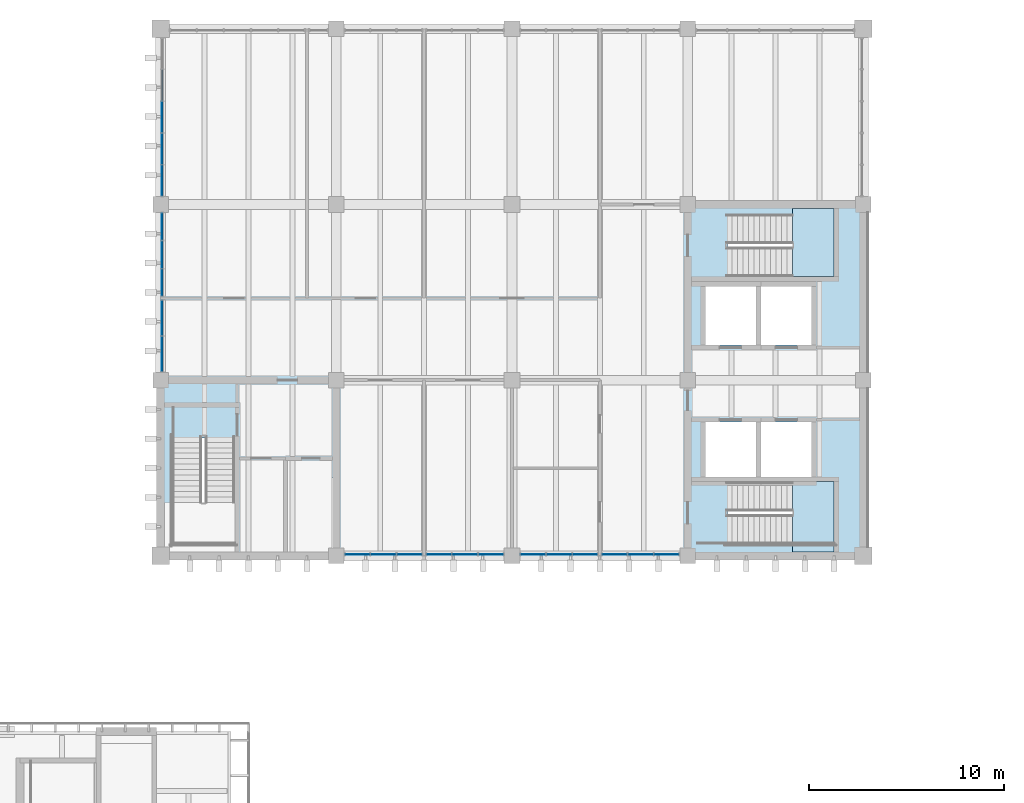
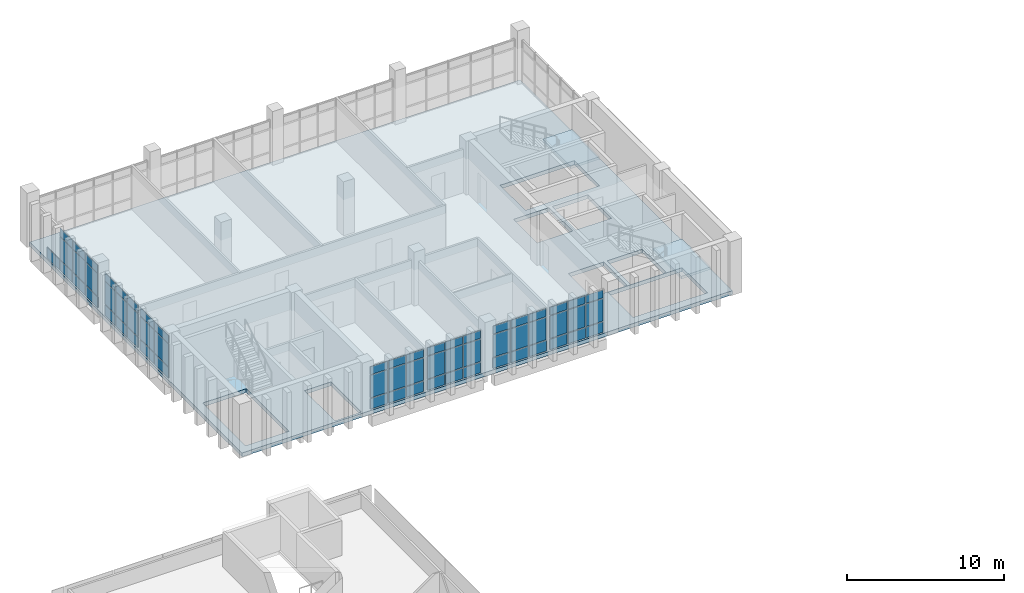
# One storey, part 15 of 29: 61 plates, 3 slabs, 9 elements without a shape of their own.
"""IFC4 building model written with IfcOpenShell, lengths in metres."""

from ifc_helpers import new_model, si_unit, direction, frame, origin, origin_2d, place, context, subcontext, project, spatial, polyline, rectangle, outline, extrude, material, layer, layer_set, type_object, element, aggregate, save


model = new_model("IFC4")

# Units and contexts
model_context = context("Model", 3, precision=1e-05, world=origin(), true_north=direction((0.0, 1.0)))
body_context = subcontext(model_context, "Body", "Model", "MODEL_VIEW")
ifc_project = project(units=[si_unit("LENGTHUNIT", "METRE"), si_unit("AREAUNIT", "SQUARE_METRE"), si_unit("VOLUMEUNIT", "CUBIC_METRE"), si_unit("PLANEANGLEUNIT", "RADIAN"), si_unit("MASSUNIT", "GRAM", prefix="KILO")], contexts=[model_context])

# Site, building, storey
site_placement = place(None, origin())
site = spatial("IfcSite", under=ifc_project, at=site_placement, CompositionType="ELEMENT")
building_placement = place(site_placement, origin())
building = spatial("IfcBuilding", under=site, at=building_placement, Name="Merrow Basin Faculty of Sciences", CompositionType="ELEMENT")
storey_placement = place(building_placement, frame((0.0, 0.0, 22.5)))
storey = spatial("IfcBuildingStorey", under=building, at=storey_placement, Name="L05", CompositionType="ELEMENT", Elevation=22.5)

# Slab
ifc_material_1 = material(Name="Concrete C40/50", Category="concrete")
ifc_layer_1 = layer(ifc_material_1, 0.300048828125)
ifc_layer_set_1 = layer_set([ifc_layer_1], Name="Floor slab 300 Concrete C40/50")
slab_type_1 = type_object("IfcSlabType", Name="Floor slab 300 Concrete C40/50", PredefinedType="FLOOR", material=ifc_layer_set_1)
slab_1_placement = place(storey_placement, frame((0.0, 0.0, -0.300048828125)))
element("IfcSlab", 1, at=slab_1_placement, inside=storey, type_object=slab_type_1, Name="SL11 floor L05 001", PredefinedType="FLOOR", context=body_context, shape_type="SweptSolid", body=[
    extrude(outline(polyline([(54.0, 169.0), (54.0, 142.0), (18.0, 142.0), (18.0, 169.0), (54.0, 169.0)]), holes=[polyline([(52.5, 142.60009765625), (52.5, 145.800048828125), (47.050048828125, 145.800048828125), (47.050048828125, 142.60009765625), (52.5, 142.60009765625)]), polyline([(52.5, 156.300048828125), (52.5, 159.5), (47.050048828125, 159.5), (47.050048828125, 156.300048828125), (52.5, 156.300048828125)]), polyline([(51.35009765625, 145.85009765625), (51.35009765625, 148.85009765625), (48.75, 148.85009765625), (48.75, 145.85009765625), (51.35009765625, 145.85009765625)]), polyline([(51.35009765625, 152.800048828125), (51.35009765625, 155.800048828125), (48.75, 155.800048828125), (48.75, 152.800048828125), (51.35009765625, 152.800048828125)]), polyline([(48.5, 145.85009765625), (48.5, 148.85009765625), (45.89990234375, 148.85009765625), (45.89990234375, 145.85009765625), (48.5, 145.85009765625)]), polyline([(48.5, 152.800048828125), (48.5, 155.800048828125), (45.89990234375, 155.800048828125), (45.89990234375, 152.800048828125), (48.5, 152.800048828125)]), polyline([(26.85009765625, 142.14990234375), (26.85009765625, 146.0), (24.90087890625, 146.0), (24.90087890625, 142.14990234375), (26.85009765625, 142.14990234375)]), polyline([(21.800048828125, 142.60009765625), (21.800048828125, 148.050048828125), (18.60009765625, 148.050048828125), (18.60009765625, 142.60009765625), (21.800048828125, 142.60009765625)])]), origin(), (0.0, 0.0, 1.0), 0.300048828125),
])

# Curtain wall, plates
ifc_material_2 = material(Name="Aluminium alloy 6063", Category="aluminium")
curtain_wall_type = type_object("IfcCurtainWallType", Name="Unitised curtain wall 160", PredefinedType="NOTDEFINED", material=ifc_material_2)
curtain_wall_1_placement = place(storey_placement, origin())
curtain_wall_1 = element("IfcCurtainWall", 2, at=curtain_wall_1_placement, inside=storey, type_object=curtain_wall_type, Name="W curtain wall L05 1", PredefinedType="NOTDEFINED")
ifc_material_3 = material(Name="Insulated aluminium spandrel panel", Category="aluminium")
ifc_layer_2 = layer(ifc_material_3, 0.052001953125)
ifc_layer_set_2 = layer_set([ifc_layer_2], Name="Insulated spandrel panel 52")
plate_type_1 = type_object("IfcPlateType", Name="Insulated spandrel panel 52", PredefinedType="CURTAIN_PANEL", material=ifc_layer_set_2)
plate_1_placement = place(storey_placement, frame((18.080078125, 152.34619140625, 0.06005859375), z_axis=(0.0, 0.0, 1.0), x_axis=(0.0, 1.0, 0.0)))
plate_1 = element("IfcPlate", 3, at=plate_1_placement, type_object=plate_type_1, Name="CW3 panel 1.1", PredefinedType="CURTAIN_PANEL", context=body_context, shape_type="SweptSolid", body=[
    extrude(rectangle(XDim=1.7724609375, YDim=0.052001953125, at=origin_2d()), origin(), (0.0, 0.0, 1.0), 0.81005859375),
])
plate_2_placement = place(storey_placement, frame((18.080078125, 154.1787109375, 0.06005859375), z_axis=(0.0, 0.0, 1.0), x_axis=(0.0, 1.0, 0.0)))
plate_2 = element("IfcPlate", 4, at=plate_2_placement, type_object=plate_type_1, Name="CW3 panel 2.1", PredefinedType="CURTAIN_PANEL", context=body_context, shape_type="SweptSolid", body=[
    extrude(rectangle(XDim=1.7724609375, YDim=0.052001953125, at=origin_2d()), origin(), (0.0, 0.0, 1.0), 0.81005859375),
])

curtain_wall_2_placement = place(storey_placement, origin())
curtain_wall_2 = element("IfcCurtainWall", 5, at=curtain_wall_2_placement, inside=storey, type_object=curtain_wall_type, Name="W curtain wall L05 2", PredefinedType="NOTDEFINED")
plate_3_placement = place(storey_placement, frame((18.080078125, 156.0107421875, 0.06005859375), z_axis=(0.0, 0.0, 1.0), x_axis=(0.0, 1.0, 0.0)))
plate_3 = element("IfcPlate", 6, at=plate_3_placement, type_object=plate_type_1, Name="CW3 panel 1.1", PredefinedType="CURTAIN_PANEL", context=body_context, shape_type="SweptSolid", body=[
    extrude(rectangle(XDim=1.3515625, YDim=0.052001953125, at=origin_2d()), origin(), (0.0, 0.0, 1.0), 0.81005859375),
])
plate_4_placement = place(storey_placement, frame((18.080078125, 157.4375, 0.06005859375), z_axis=(0.0, 0.0, 1.0), x_axis=(0.0, 1.0, 0.0)))
plate_4 = element("IfcPlate", 7, at=plate_4_placement, type_object=plate_type_1, Name="CW3 panel 2.1", PredefinedType="CURTAIN_PANEL", context=body_context, shape_type="SweptSolid", body=[
    extrude(rectangle(XDim=1.381591796875, YDim=0.052001953125, at=origin_2d()), origin(), (0.0, 0.0, 1.0), 0.81005859375),
])
plate_5_placement = place(storey_placement, frame((18.080078125, 158.8642578125, 0.06005859375), z_axis=(0.0, 0.0, 1.0), x_axis=(0.0, 1.0, 0.0)))
plate_5 = element("IfcPlate", 8, at=plate_5_placement, type_object=plate_type_1, Name="CW3 panel 3.1", PredefinedType="CURTAIN_PANEL", context=body_context, shape_type="SweptSolid", body=[
    extrude(rectangle(XDim=1.3515625, YDim=0.052001953125, at=origin_2d()), origin(), (0.0, 0.0, 1.0), 0.81005859375),
])

curtain_wall_3_placement = place(storey_placement, origin())
curtain_wall_3 = element("IfcCurtainWall", 9, at=curtain_wall_3_placement, inside=storey, type_object=curtain_wall_type, Name="W curtain wall L05 3", PredefinedType="NOTDEFINED")
plate_6_placement = place(storey_placement, frame((18.080078125, 161.22998046875, 0.06005859375), z_axis=(0.0, 0.0, 1.0), x_axis=(0.0, 1.0, 0.0)))
plate_6 = element("IfcPlate", 10, at=plate_6_placement, type_object=plate_type_1, Name="CW3 panel 1.1", PredefinedType="CURTAIN_PANEL", context=body_context, shape_type="SweptSolid", body=[
    extrude(rectangle(XDim=1.5400390625, YDim=0.052001953125, at=origin_2d()), origin(), (0.0, 0.0, 1.0), 0.81005859375),
])
plate_7_placement = place(storey_placement, frame((18.080078125, 162.844970703125, 0.06005859375), z_axis=(0.0, 0.0, 1.0), x_axis=(0.0, 1.0, 0.0)))
plate_7 = element("IfcPlate", 11, at=plate_7_placement, type_object=plate_type_1, Name="CW3 panel 2.1", PredefinedType="CURTAIN_PANEL", context=body_context, shape_type="SweptSolid", body=[
    extrude(rectangle(XDim=1.570068359375, YDim=0.052001953125, at=origin_2d()), origin(), (0.0, 0.0, 1.0), 0.81005859375),
])
plate_8_placement = place(storey_placement, frame((18.080078125, 164.47509765625, 0.06005859375), z_axis=(0.0, 0.0, 1.0), x_axis=(0.0, 1.0, 0.0)))
plate_8 = element("IfcPlate", 12, at=plate_8_placement, type_object=plate_type_1, Name="CW3 panel 3.1", PredefinedType="CURTAIN_PANEL", context=body_context, shape_type="SweptSolid", body=[
    extrude(rectangle(XDim=1.570068359375, YDim=0.052001953125, at=origin_2d()), origin(), (0.0, 0.0, 1.0), 0.81005859375),
])
plate_9_placement = place(storey_placement, frame((18.080078125, 166.10498046875, 0.06005859375), z_axis=(0.0, 0.0, 1.0), x_axis=(0.0, 1.0, 0.0)))
plate_9 = element("IfcPlate", 13, at=plate_9_placement, type_object=plate_type_1, Name="CW3 panel 4.1", PredefinedType="CURTAIN_PANEL", context=body_context, shape_type="SweptSolid", body=[
    extrude(rectangle(XDim=1.570068359375, YDim=0.052001953125, at=origin_2d()), origin(), (0.0, 0.0, 1.0), 0.81005859375),
])

curtain_wall_4_placement = place(storey_placement, origin())
curtain_wall_4 = element("IfcCurtainWall", 14, at=curtain_wall_4_placement, inside=storey, type_object=curtain_wall_type, Name="S curtain wall L05 1", PredefinedType="NOTDEFINED")
plate_10_placement = place(storey_placement, frame((28.0859375, 142.080078125, 0.06005859375), z_axis=(0.0, 0.0, 1.0), x_axis=(1.0, 0.0, 0.0)))
plate_10 = element("IfcPlate", 15, at=plate_10_placement, type_object=plate_type_1, Name="CW3 panel 1.1", PredefinedType="CURTAIN_PANEL", context=body_context, shape_type="SweptSolid", body=[
    extrude(rectangle(XDim=1.251708984375, YDim=0.052001953125, at=origin_2d()), origin(), (0.0, 0.0, 1.0), 0.81005859375),
])
plate_11_placement = place(storey_placement, frame((29.41259765625, 142.080078125, 0.06005859375), z_axis=(0.0, 0.0, 1.0), x_axis=(1.0, 0.0, 0.0)))
plate_11 = element("IfcPlate", 16, at=plate_11_placement, type_object=plate_type_1, Name="CW3 panel 2.1", PredefinedType="CURTAIN_PANEL", context=body_context, shape_type="SweptSolid", body=[
    extrude(rectangle(XDim=1.28173828125, YDim=0.052001953125, at=origin_2d()), origin(), (0.0, 0.0, 1.0), 0.81005859375),
])
plate_12_placement = place(storey_placement, frame((30.7392578125, 142.080078125, 0.06005859375), z_axis=(0.0, 0.0, 1.0), x_axis=(1.0, 0.0, 0.0)))
plate_12 = element("IfcPlate", 17, at=plate_12_placement, type_object=plate_type_1, Name="CW3 panel 3.1", PredefinedType="CURTAIN_PANEL", context=body_context, shape_type="SweptSolid", body=[
    extrude(rectangle(XDim=1.251708984375, YDim=0.052001953125, at=origin_2d()), origin(), (0.0, 0.0, 1.0), 0.81005859375),
])

curtain_wall_5_placement = place(storey_placement, origin())
curtain_wall_5 = element("IfcCurtainWall", 18, at=curtain_wall_5_placement, inside=storey, type_object=curtain_wall_type, Name="S curtain wall L05 2", PredefinedType="NOTDEFINED")
plate_13_placement = place(storey_placement, frame((32.2607421875, 142.080078125, 0.06005859375), z_axis=(0.0, 0.0, 1.0), x_axis=(1.0, 0.0, 0.0)))
plate_13 = element("IfcPlate", 19, at=plate_13_placement, type_object=plate_type_1, Name="CW3 panel 1.1", PredefinedType="CURTAIN_PANEL", context=body_context, shape_type="SweptSolid", body=[
    extrude(rectangle(XDim=1.251708984375, YDim=0.052001953125, at=origin_2d()), origin(), (0.0, 0.0, 1.0), 0.81005859375),
])
plate_14_placement = place(storey_placement, frame((33.58740234375, 142.080078125, 0.06005859375), z_axis=(0.0, 0.0, 1.0), x_axis=(1.0, 0.0, 0.0)))
plate_14 = element("IfcPlate", 20, at=plate_14_placement, type_object=plate_type_1, Name="CW3 panel 2.1", PredefinedType="CURTAIN_PANEL", context=body_context, shape_type="SweptSolid", body=[
    extrude(rectangle(XDim=1.28173828125, YDim=0.052001953125, at=origin_2d()), origin(), (0.0, 0.0, 1.0), 0.81005859375),
])
plate_15_placement = place(storey_placement, frame((34.9140625, 142.080078125, 0.06005859375), z_axis=(0.0, 0.0, 1.0), x_axis=(1.0, 0.0, 0.0)))
plate_15 = element("IfcPlate", 21, at=plate_15_placement, type_object=plate_type_1, Name="CW3 panel 3.1", PredefinedType="CURTAIN_PANEL", context=body_context, shape_type="SweptSolid", body=[
    extrude(rectangle(XDim=1.251708984375, YDim=0.052001953125, at=origin_2d()), origin(), (0.0, 0.0, 1.0), 0.81005859375),
])

curtain_wall_6_placement = place(storey_placement, origin())
curtain_wall_6 = element("IfcCurtainWall", 22, at=curtain_wall_6_placement, inside=storey, type_object=curtain_wall_type, Name="S curtain wall L05 3", PredefinedType="NOTDEFINED")
plate_16_placement = place(storey_placement, frame((37.0859375, 142.080078125, 0.06005859375), z_axis=(0.0, 0.0, 1.0), x_axis=(1.0, 0.0, 0.0)))
plate_16 = element("IfcPlate", 23, at=plate_16_placement, type_object=plate_type_1, Name="CW3 panel 1.1", PredefinedType="CURTAIN_PANEL", context=body_context, shape_type="SweptSolid", body=[
    extrude(rectangle(XDim=1.251708984375, YDim=0.052001953125, at=origin_2d()), origin(), (0.0, 0.0, 1.0), 0.81005859375),
])
plate_17_placement = place(storey_placement, frame((38.41259765625, 142.080078125, 0.06005859375), z_axis=(0.0, 0.0, 1.0), x_axis=(1.0, 0.0, 0.0)))
plate_17 = element("IfcPlate", 24, at=plate_17_placement, type_object=plate_type_1, Name="CW3 panel 2.1", PredefinedType="CURTAIN_PANEL", context=body_context, shape_type="SweptSolid", body=[
    extrude(rectangle(XDim=1.28173828125, YDim=0.052001953125, at=origin_2d()), origin(), (0.0, 0.0, 1.0), 0.81005859375),
])
plate_18_placement = place(storey_placement, frame((39.7392578125, 142.080078125, 0.06005859375), z_axis=(0.0, 0.0, 1.0), x_axis=(1.0, 0.0, 0.0)))
plate_18 = element("IfcPlate", 25, at=plate_18_placement, type_object=plate_type_1, Name="CW3 panel 3.1", PredefinedType="CURTAIN_PANEL", context=body_context, shape_type="SweptSolid", body=[
    extrude(rectangle(XDim=1.251708984375, YDim=0.052001953125, at=origin_2d()), origin(), (0.0, 0.0, 1.0), 0.81005859375),
])

curtain_wall_7_placement = place(storey_placement, origin())
curtain_wall_7 = element("IfcCurtainWall", 26, at=curtain_wall_7_placement, inside=storey, type_object=curtain_wall_type, Name="S curtain wall L05 4", PredefinedType="NOTDEFINED")
plate_19_placement = place(storey_placement, frame((41.2607421875, 142.080078125, 0.06005859375), z_axis=(0.0, 0.0, 1.0), x_axis=(1.0, 0.0, 0.0)))
plate_19 = element("IfcPlate", 27, at=plate_19_placement, type_object=plate_type_1, Name="CW3 panel 1.1", PredefinedType="CURTAIN_PANEL", context=body_context, shape_type="SweptSolid", body=[
    extrude(rectangle(XDim=1.251708984375, YDim=0.052001953125, at=origin_2d()), origin(), (0.0, 0.0, 1.0), 0.81005859375),
])
plate_20_placement = place(storey_placement, frame((42.58740234375, 142.080078125, 0.06005859375), z_axis=(0.0, 0.0, 1.0), x_axis=(1.0, 0.0, 0.0)))
plate_20 = element("IfcPlate", 28, at=plate_20_placement, type_object=plate_type_1, Name="CW3 panel 2.1", PredefinedType="CURTAIN_PANEL", context=body_context, shape_type="SweptSolid", body=[
    extrude(rectangle(XDim=1.28173828125, YDim=0.052001953125, at=origin_2d()), origin(), (0.0, 0.0, 1.0), 0.81005859375),
])
plate_21_placement = place(storey_placement, frame((43.9140625, 142.080078125, 0.06005859375), z_axis=(0.0, 0.0, 1.0), x_axis=(1.0, 0.0, 0.0)))
plate_21 = element("IfcPlate", 29, at=plate_21_placement, type_object=plate_type_1, Name="CW3 panel 3.1", PredefinedType="CURTAIN_PANEL", context=body_context, shape_type="SweptSolid", body=[
    extrude(rectangle(XDim=1.251708984375, YDim=0.052001953125, at=origin_2d()), origin(), (0.0, 0.0, 1.0), 0.81005859375),
])

# Plate
ifc_material_4 = material(Name="Low-E double glazing", Category="glass")
ifc_layer_3 = layer(ifc_material_4, 0.028076171875)
ifc_layer_set_3 = layer_set([ifc_layer_3], Name="Low-E double glazed panel 28")
plate_type_2 = type_object("IfcPlateType", Name="Low-E double glazed panel 28", PredefinedType="CURTAIN_PANEL", material=ifc_layer_set_3)
plate_22_placement = place(storey_placement, frame((18.080078125, 152.34619140625, 0.93017578125), z_axis=(0.0, 0.0, 1.0), x_axis=(0.0, 1.0, 0.0)))
plate_22 = element("IfcPlate", 30, at=plate_22_placement, type_object=plate_type_2, Name="CW3 panel 1.2", PredefinedType="CURTAIN_PANEL", context=body_context, shape_type="SweptSolid", body=[
    extrude(rectangle(XDim=1.7724609375, YDim=0.028076171875, at=origin_2d()), origin(), (0.0, 0.0, 1.0), 1.739990234375),
])

plate_23_placement = place(storey_placement, frame((18.080078125, 152.34619140625, 2.72998046875), z_axis=(0.0, 0.0, 1.0), x_axis=(0.0, 1.0, 0.0)))
plate_23 = element("IfcPlate", 31, at=plate_23_placement, type_object=plate_type_2, Name="CW3 panel 1.3", PredefinedType="CURTAIN_PANEL", context=body_context, shape_type="SweptSolid", body=[
    extrude(rectangle(XDim=1.7724609375, YDim=0.028076171875, at=origin_2d()), origin(), (0.0, 0.0, 1.0), 0.610107421875),
])

plate_24_placement = place(storey_placement, frame((18.080078125, 154.1787109375, 0.93017578125), z_axis=(0.0, 0.0, 1.0), x_axis=(0.0, 1.0, 0.0)))
plate_24 = element("IfcPlate", 32, at=plate_24_placement, type_object=plate_type_2, Name="CW3 panel 2.2", PredefinedType="CURTAIN_PANEL", context=body_context, shape_type="SweptSolid", body=[
    extrude(rectangle(XDim=1.7724609375, YDim=0.028076171875, at=origin_2d()), origin(), (0.0, 0.0, 1.0), 1.739990234375),
])

plate_25_placement = place(storey_placement, frame((18.080078125, 154.1787109375, 2.72998046875), z_axis=(0.0, 0.0, 1.0), x_axis=(0.0, 1.0, 0.0)))
plate_25 = element("IfcPlate", 33, at=plate_25_placement, type_object=plate_type_2, Name="CW3 panel 2.3", PredefinedType="CURTAIN_PANEL", context=body_context, shape_type="SweptSolid", body=[
    extrude(rectangle(XDim=1.7724609375, YDim=0.028076171875, at=origin_2d()), origin(), (0.0, 0.0, 1.0), 0.610107421875),
])

aggregate(curtain_wall_1, [plate_1, plate_22, plate_23, plate_2, plate_24, plate_25])

plate_26_placement = place(storey_placement, frame((18.080078125, 156.0107421875, 0.93017578125), z_axis=(0.0, 0.0, 1.0), x_axis=(0.0, 1.0, 0.0)))
plate_26 = element("IfcPlate", 34, at=plate_26_placement, type_object=plate_type_2, Name="CW3 panel 1.2", PredefinedType="CURTAIN_PANEL", context=body_context, shape_type="SweptSolid", body=[
    extrude(rectangle(XDim=1.3515625, YDim=0.028076171875, at=origin_2d()), origin(), (0.0, 0.0, 1.0), 1.739990234375),
])

plate_27_placement = place(storey_placement, frame((18.080078125, 156.0107421875, 2.72998046875), z_axis=(0.0, 0.0, 1.0), x_axis=(0.0, 1.0, 0.0)))
plate_27 = element("IfcPlate", 35, at=plate_27_placement, type_object=plate_type_2, Name="CW3 panel 1.3", PredefinedType="CURTAIN_PANEL", context=body_context, shape_type="SweptSolid", body=[
    extrude(rectangle(XDim=1.3515625, YDim=0.028076171875, at=origin_2d()), origin(), (0.0, 0.0, 1.0), 0.610107421875),
])

plate_28_placement = place(storey_placement, frame((18.080078125, 157.4375, 0.93017578125), z_axis=(0.0, 0.0, 1.0), x_axis=(0.0, 1.0, 0.0)))
plate_28 = element("IfcPlate", 36, at=plate_28_placement, type_object=plate_type_2, Name="CW3 panel 2.2", PredefinedType="CURTAIN_PANEL", context=body_context, shape_type="SweptSolid", body=[
    extrude(rectangle(XDim=1.381591796875, YDim=0.028076171875, at=origin_2d()), origin(), (0.0, 0.0, 1.0), 1.739990234375),
])

plate_29_placement = place(storey_placement, frame((18.080078125, 157.4375, 2.72998046875), z_axis=(0.0, 0.0, 1.0), x_axis=(0.0, 1.0, 0.0)))
plate_29 = element("IfcPlate", 37, at=plate_29_placement, type_object=plate_type_2, Name="CW3 panel 2.3", PredefinedType="CURTAIN_PANEL", context=body_context, shape_type="SweptSolid", body=[
    extrude(rectangle(XDim=1.381591796875, YDim=0.028076171875, at=origin_2d()), origin(), (0.0, 0.0, 1.0), 0.610107421875),
])

plate_30_placement = place(storey_placement, frame((18.080078125, 158.8642578125, 0.93017578125), z_axis=(0.0, 0.0, 1.0), x_axis=(0.0, 1.0, 0.0)))
plate_30 = element("IfcPlate", 38, at=plate_30_placement, type_object=plate_type_2, Name="CW3 panel 3.2", PredefinedType="CURTAIN_PANEL", context=body_context, shape_type="SweptSolid", body=[
    extrude(rectangle(XDim=1.3515625, YDim=0.028076171875, at=origin_2d()), origin(), (0.0, 0.0, 1.0), 1.739990234375),
])

plate_31_placement = place(storey_placement, frame((18.080078125, 158.8642578125, 2.72998046875), z_axis=(0.0, 0.0, 1.0), x_axis=(0.0, 1.0, 0.0)))
plate_31 = element("IfcPlate", 39, at=plate_31_placement, type_object=plate_type_2, Name="CW3 panel 3.3", PredefinedType="CURTAIN_PANEL", context=body_context, shape_type="SweptSolid", body=[
    extrude(rectangle(XDim=1.3515625, YDim=0.028076171875, at=origin_2d()), origin(), (0.0, 0.0, 1.0), 0.610107421875),
])

aggregate(curtain_wall_2, [plate_3, plate_26, plate_27, plate_4, plate_28, plate_29, plate_5, plate_30, plate_31])

plate_32_placement = place(storey_placement, frame((18.080078125, 161.22998046875, 0.93017578125), z_axis=(0.0, 0.0, 1.0), x_axis=(0.0, 1.0, 0.0)))
plate_32 = element("IfcPlate", 40, at=plate_32_placement, type_object=plate_type_2, Name="CW3 panel 1.2", PredefinedType="CURTAIN_PANEL", context=body_context, shape_type="SweptSolid", body=[
    extrude(rectangle(XDim=1.5400390625, YDim=0.028076171875, at=origin_2d()), origin(), (0.0, 0.0, 1.0), 1.739990234375),
])

plate_33_placement = place(storey_placement, frame((18.080078125, 161.22998046875, 2.72998046875), z_axis=(0.0, 0.0, 1.0), x_axis=(0.0, 1.0, 0.0)))
plate_33 = element("IfcPlate", 41, at=plate_33_placement, type_object=plate_type_2, Name="CW3 panel 1.3", PredefinedType="CURTAIN_PANEL", context=body_context, shape_type="SweptSolid", body=[
    extrude(rectangle(XDim=1.5400390625, YDim=0.028076171875, at=origin_2d()), origin(), (0.0, 0.0, 1.0), 0.610107421875),
])

plate_34_placement = place(storey_placement, frame((18.080078125, 162.844970703125, 0.93017578125), z_axis=(0.0, 0.0, 1.0), x_axis=(0.0, 1.0, 0.0)))
plate_34 = element("IfcPlate", 42, at=plate_34_placement, type_object=plate_type_2, Name="CW3 panel 2.2", PredefinedType="CURTAIN_PANEL", context=body_context, shape_type="SweptSolid", body=[
    extrude(rectangle(XDim=1.570068359375, YDim=0.028076171875, at=origin_2d()), origin(), (0.0, 0.0, 1.0), 1.739990234375),
])

plate_35_placement = place(storey_placement, frame((18.080078125, 162.844970703125, 2.72998046875), z_axis=(0.0, 0.0, 1.0), x_axis=(0.0, 1.0, 0.0)))
plate_35 = element("IfcPlate", 43, at=plate_35_placement, type_object=plate_type_2, Name="CW3 panel 2.3", PredefinedType="CURTAIN_PANEL", context=body_context, shape_type="SweptSolid", body=[
    extrude(rectangle(XDim=1.570068359375, YDim=0.028076171875, at=origin_2d()), origin(), (0.0, 0.0, 1.0), 0.610107421875),
])

plate_36_placement = place(storey_placement, frame((18.080078125, 164.47509765625, 0.93017578125), z_axis=(0.0, 0.0, 1.0), x_axis=(0.0, 1.0, 0.0)))
plate_36 = element("IfcPlate", 44, at=plate_36_placement, type_object=plate_type_2, Name="CW3 panel 3.2", PredefinedType="CURTAIN_PANEL", context=body_context, shape_type="SweptSolid", body=[
    extrude(rectangle(XDim=1.570068359375, YDim=0.028076171875, at=origin_2d()), origin(), (0.0, 0.0, 1.0), 1.739990234375),
])

plate_37_placement = place(storey_placement, frame((18.080078125, 164.47509765625, 2.72998046875), z_axis=(0.0, 0.0, 1.0), x_axis=(0.0, 1.0, 0.0)))
plate_37 = element("IfcPlate", 45, at=plate_37_placement, type_object=plate_type_2, Name="CW3 panel 3.3", PredefinedType="CURTAIN_PANEL", context=body_context, shape_type="SweptSolid", body=[
    extrude(rectangle(XDim=1.570068359375, YDim=0.028076171875, at=origin_2d()), origin(), (0.0, 0.0, 1.0), 0.610107421875),
])

aggregate(curtain_wall_3, [plate_6, plate_32, plate_33, plate_7, plate_34, plate_35, plate_8, plate_36, plate_37, plate_9])

plate_38_placement = place(storey_placement, frame((28.0859375, 142.080078125, 0.93017578125), z_axis=(0.0, 0.0, 1.0), x_axis=(1.0, 0.0, 0.0)))
plate_38 = element("IfcPlate", 46, at=plate_38_placement, type_object=plate_type_2, Name="CW3 panel 1.2", PredefinedType="CURTAIN_PANEL", context=body_context, shape_type="SweptSolid", body=[
    extrude(rectangle(XDim=1.251708984375, YDim=0.028076171875, at=origin_2d()), origin(), (0.0, 0.0, 1.0), 1.739990234375),
])

plate_39_placement = place(storey_placement, frame((28.0859375, 142.080078125, 2.72998046875), z_axis=(0.0, 0.0, 1.0), x_axis=(1.0, 0.0, 0.0)))
plate_39 = element("IfcPlate", 47, at=plate_39_placement, type_object=plate_type_2, Name="CW3 panel 1.3", PredefinedType="CURTAIN_PANEL", context=body_context, shape_type="SweptSolid", body=[
    extrude(rectangle(XDim=1.251708984375, YDim=0.028076171875, at=origin_2d()), origin(), (0.0, 0.0, 1.0), 0.610107421875),
])

plate_40_placement = place(storey_placement, frame((29.41259765625, 142.080078125, 0.93017578125), z_axis=(0.0, 0.0, 1.0), x_axis=(1.0, 0.0, 0.0)))
plate_40 = element("IfcPlate", 48, at=plate_40_placement, type_object=plate_type_2, Name="CW3 panel 2.2", PredefinedType="CURTAIN_PANEL", context=body_context, shape_type="SweptSolid", body=[
    extrude(rectangle(XDim=1.28173828125, YDim=0.028076171875, at=origin_2d()), origin(), (0.0, 0.0, 1.0), 1.739990234375),
])

plate_41_placement = place(storey_placement, frame((29.41259765625, 142.080078125, 2.72998046875), z_axis=(0.0, 0.0, 1.0), x_axis=(1.0, 0.0, 0.0)))
plate_41 = element("IfcPlate", 49, at=plate_41_placement, type_object=plate_type_2, Name="CW3 panel 2.3", PredefinedType="CURTAIN_PANEL", context=body_context, shape_type="SweptSolid", body=[
    extrude(rectangle(XDim=1.28173828125, YDim=0.028076171875, at=origin_2d()), origin(), (0.0, 0.0, 1.0), 0.610107421875),
])

plate_42_placement = place(storey_placement, frame((30.7392578125, 142.080078125, 0.93017578125), z_axis=(0.0, 0.0, 1.0), x_axis=(1.0, 0.0, 0.0)))
plate_42 = element("IfcPlate", 50, at=plate_42_placement, type_object=plate_type_2, Name="CW3 panel 3.2", PredefinedType="CURTAIN_PANEL", context=body_context, shape_type="SweptSolid", body=[
    extrude(rectangle(XDim=1.251708984375, YDim=0.028076171875, at=origin_2d()), origin(), (0.0, 0.0, 1.0), 1.739990234375),
])

plate_43_placement = place(storey_placement, frame((30.7392578125, 142.080078125, 2.72998046875), z_axis=(0.0, 0.0, 1.0), x_axis=(1.0, 0.0, 0.0)))
plate_43 = element("IfcPlate", 51, at=plate_43_placement, type_object=plate_type_2, Name="CW3 panel 3.3", PredefinedType="CURTAIN_PANEL", context=body_context, shape_type="SweptSolid", body=[
    extrude(rectangle(XDim=1.251708984375, YDim=0.028076171875, at=origin_2d()), origin(), (0.0, 0.0, 1.0), 0.610107421875),
])

aggregate(curtain_wall_4, [plate_10, plate_38, plate_39, plate_11, plate_40, plate_41, plate_12, plate_42, plate_43])

plate_44_placement = place(storey_placement, frame((32.2607421875, 142.080078125, 0.93017578125), z_axis=(0.0, 0.0, 1.0), x_axis=(1.0, 0.0, 0.0)))
plate_44 = element("IfcPlate", 52, at=plate_44_placement, type_object=plate_type_2, Name="CW3 panel 1.2", PredefinedType="CURTAIN_PANEL", context=body_context, shape_type="SweptSolid", body=[
    extrude(rectangle(XDim=1.251708984375, YDim=0.028076171875, at=origin_2d()), origin(), (0.0, 0.0, 1.0), 1.739990234375),
])

plate_45_placement = place(storey_placement, frame((32.2607421875, 142.080078125, 2.72998046875), z_axis=(0.0, 0.0, 1.0), x_axis=(1.0, 0.0, 0.0)))
plate_45 = element("IfcPlate", 53, at=plate_45_placement, type_object=plate_type_2, Name="CW3 panel 1.3", PredefinedType="CURTAIN_PANEL", context=body_context, shape_type="SweptSolid", body=[
    extrude(rectangle(XDim=1.251708984375, YDim=0.028076171875, at=origin_2d()), origin(), (0.0, 0.0, 1.0), 0.610107421875),
])

plate_46_placement = place(storey_placement, frame((33.58740234375, 142.080078125, 0.93017578125), z_axis=(0.0, 0.0, 1.0), x_axis=(1.0, 0.0, 0.0)))
plate_46 = element("IfcPlate", 54, at=plate_46_placement, type_object=plate_type_2, Name="CW3 panel 2.2", PredefinedType="CURTAIN_PANEL", context=body_context, shape_type="SweptSolid", body=[
    extrude(rectangle(XDim=1.28173828125, YDim=0.028076171875, at=origin_2d()), origin(), (0.0, 0.0, 1.0), 1.739990234375),
])

plate_47_placement = place(storey_placement, frame((33.58740234375, 142.080078125, 2.72998046875), z_axis=(0.0, 0.0, 1.0), x_axis=(1.0, 0.0, 0.0)))
plate_47 = element("IfcPlate", 55, at=plate_47_placement, type_object=plate_type_2, Name="CW3 panel 2.3", PredefinedType="CURTAIN_PANEL", context=body_context, shape_type="SweptSolid", body=[
    extrude(rectangle(XDim=1.28173828125, YDim=0.028076171875, at=origin_2d()), origin(), (0.0, 0.0, 1.0), 0.610107421875),
])

plate_48_placement = place(storey_placement, frame((34.9140625, 142.080078125, 0.93017578125), z_axis=(0.0, 0.0, 1.0), x_axis=(1.0, 0.0, 0.0)))
plate_48 = element("IfcPlate", 56, at=plate_48_placement, type_object=plate_type_2, Name="CW3 panel 3.2", PredefinedType="CURTAIN_PANEL", context=body_context, shape_type="SweptSolid", body=[
    extrude(rectangle(XDim=1.251708984375, YDim=0.028076171875, at=origin_2d()), origin(), (0.0, 0.0, 1.0), 1.739990234375),
])

plate_49_placement = place(storey_placement, frame((34.9140625, 142.080078125, 2.72998046875), z_axis=(0.0, 0.0, 1.0), x_axis=(1.0, 0.0, 0.0)))
plate_49 = element("IfcPlate", 57, at=plate_49_placement, type_object=plate_type_2, Name="CW3 panel 3.3", PredefinedType="CURTAIN_PANEL", context=body_context, shape_type="SweptSolid", body=[
    extrude(rectangle(XDim=1.251708984375, YDim=0.028076171875, at=origin_2d()), origin(), (0.0, 0.0, 1.0), 0.610107421875),
])

aggregate(curtain_wall_5, [plate_13, plate_44, plate_45, plate_14, plate_46, plate_47, plate_15, plate_48, plate_49])

plate_50_placement = place(storey_placement, frame((37.0859375, 142.080078125, 0.93017578125), z_axis=(0.0, 0.0, 1.0), x_axis=(1.0, 0.0, 0.0)))
plate_50 = element("IfcPlate", 58, at=plate_50_placement, type_object=plate_type_2, Name="CW3 panel 1.2", PredefinedType="CURTAIN_PANEL", context=body_context, shape_type="SweptSolid", body=[
    extrude(rectangle(XDim=1.251708984375, YDim=0.028076171875, at=origin_2d()), origin(), (0.0, 0.0, 1.0), 1.739990234375),
])

plate_51_placement = place(storey_placement, frame((37.0859375, 142.080078125, 2.72998046875), z_axis=(0.0, 0.0, 1.0), x_axis=(1.0, 0.0, 0.0)))
plate_51 = element("IfcPlate", 59, at=plate_51_placement, type_object=plate_type_2, Name="CW3 panel 1.3", PredefinedType="CURTAIN_PANEL", context=body_context, shape_type="SweptSolid", body=[
    extrude(rectangle(XDim=1.251708984375, YDim=0.028076171875, at=origin_2d()), origin(), (0.0, 0.0, 1.0), 0.610107421875),
])

plate_52_placement = place(storey_placement, frame((38.41259765625, 142.080078125, 0.93017578125), z_axis=(0.0, 0.0, 1.0), x_axis=(1.0, 0.0, 0.0)))
plate_52 = element("IfcPlate", 60, at=plate_52_placement, type_object=plate_type_2, Name="CW3 panel 2.2", PredefinedType="CURTAIN_PANEL", context=body_context, shape_type="SweptSolid", body=[
    extrude(rectangle(XDim=1.28173828125, YDim=0.028076171875, at=origin_2d()), origin(), (0.0, 0.0, 1.0), 1.739990234375),
])

plate_53_placement = place(storey_placement, frame((38.41259765625, 142.080078125, 2.72998046875), z_axis=(0.0, 0.0, 1.0), x_axis=(1.0, 0.0, 0.0)))
plate_53 = element("IfcPlate", 61, at=plate_53_placement, type_object=plate_type_2, Name="CW3 panel 2.3", PredefinedType="CURTAIN_PANEL", context=body_context, shape_type="SweptSolid", body=[
    extrude(rectangle(XDim=1.28173828125, YDim=0.028076171875, at=origin_2d()), origin(), (0.0, 0.0, 1.0), 0.610107421875),
])

plate_54_placement = place(storey_placement, frame((39.7392578125, 142.080078125, 0.93017578125), z_axis=(0.0, 0.0, 1.0), x_axis=(1.0, 0.0, 0.0)))
plate_54 = element("IfcPlate", 62, at=plate_54_placement, type_object=plate_type_2, Name="CW3 panel 3.2", PredefinedType="CURTAIN_PANEL", context=body_context, shape_type="SweptSolid", body=[
    extrude(rectangle(XDim=1.251708984375, YDim=0.028076171875, at=origin_2d()), origin(), (0.0, 0.0, 1.0), 1.739990234375),
])

plate_55_placement = place(storey_placement, frame((39.7392578125, 142.080078125, 2.72998046875), z_axis=(0.0, 0.0, 1.0), x_axis=(1.0, 0.0, 0.0)))
plate_55 = element("IfcPlate", 63, at=plate_55_placement, type_object=plate_type_2, Name="CW3 panel 3.3", PredefinedType="CURTAIN_PANEL", context=body_context, shape_type="SweptSolid", body=[
    extrude(rectangle(XDim=1.251708984375, YDim=0.028076171875, at=origin_2d()), origin(), (0.0, 0.0, 1.0), 0.610107421875),
])

aggregate(curtain_wall_6, [plate_16, plate_50, plate_51, plate_17, plate_52, plate_53, plate_18, plate_54, plate_55])

plate_56_placement = place(storey_placement, frame((41.2607421875, 142.080078125, 0.93017578125), z_axis=(0.0, 0.0, 1.0), x_axis=(1.0, 0.0, 0.0)))
plate_56 = element("IfcPlate", 64, at=plate_56_placement, type_object=plate_type_2, Name="CW3 panel 1.2", PredefinedType="CURTAIN_PANEL", context=body_context, shape_type="SweptSolid", body=[
    extrude(rectangle(XDim=1.251708984375, YDim=0.028076171875, at=origin_2d()), origin(), (0.0, 0.0, 1.0), 1.739990234375),
])

plate_57_placement = place(storey_placement, frame((41.2607421875, 142.080078125, 2.72998046875), z_axis=(0.0, 0.0, 1.0), x_axis=(1.0, 0.0, 0.0)))
plate_57 = element("IfcPlate", 65, at=plate_57_placement, type_object=plate_type_2, Name="CW3 panel 1.3", PredefinedType="CURTAIN_PANEL", context=body_context, shape_type="SweptSolid", body=[
    extrude(rectangle(XDim=1.251708984375, YDim=0.028076171875, at=origin_2d()), origin(), (0.0, 0.0, 1.0), 0.610107421875),
])

plate_58_placement = place(storey_placement, frame((42.58740234375, 142.080078125, 0.93017578125), z_axis=(0.0, 0.0, 1.0), x_axis=(1.0, 0.0, 0.0)))
plate_58 = element("IfcPlate", 66, at=plate_58_placement, type_object=plate_type_2, Name="CW3 panel 2.2", PredefinedType="CURTAIN_PANEL", context=body_context, shape_type="SweptSolid", body=[
    extrude(rectangle(XDim=1.28173828125, YDim=0.028076171875, at=origin_2d()), origin(), (0.0, 0.0, 1.0), 1.739990234375),
])

plate_59_placement = place(storey_placement, frame((42.58740234375, 142.080078125, 2.72998046875), z_axis=(0.0, 0.0, 1.0), x_axis=(1.0, 0.0, 0.0)))
plate_59 = element("IfcPlate", 67, at=plate_59_placement, type_object=plate_type_2, Name="CW3 panel 2.3", PredefinedType="CURTAIN_PANEL", context=body_context, shape_type="SweptSolid", body=[
    extrude(rectangle(XDim=1.28173828125, YDim=0.028076171875, at=origin_2d()), origin(), (0.0, 0.0, 1.0), 0.610107421875),
])

plate_60_placement = place(storey_placement, frame((43.9140625, 142.080078125, 0.93017578125), z_axis=(0.0, 0.0, 1.0), x_axis=(1.0, 0.0, 0.0)))
plate_60 = element("IfcPlate", 68, at=plate_60_placement, type_object=plate_type_2, Name="CW3 panel 3.2", PredefinedType="CURTAIN_PANEL", context=body_context, shape_type="SweptSolid", body=[
    extrude(rectangle(XDim=1.251708984375, YDim=0.028076171875, at=origin_2d()), origin(), (0.0, 0.0, 1.0), 1.739990234375),
])

plate_61_placement = place(storey_placement, frame((43.9140625, 142.080078125, 2.72998046875), z_axis=(0.0, 0.0, 1.0), x_axis=(1.0, 0.0, 0.0)))
plate_61 = element("IfcPlate", 69, at=plate_61_placement, type_object=plate_type_2, Name="CW3 panel 3.3", PredefinedType="CURTAIN_PANEL", context=body_context, shape_type="SweptSolid", body=[
    extrude(rectangle(XDim=1.251708984375, YDim=0.028076171875, at=origin_2d()), origin(), (0.0, 0.0, 1.0), 0.610107421875),
])

aggregate(curtain_wall_7, [plate_19, plate_56, plate_57, plate_20, plate_58, plate_59, plate_21, plate_60, plate_61])

# Stair, slab
ifc_material_5 = material(Name="Concrete C40/50", Category="concrete")
stair_type = type_object("IfcStairType", Name="Concrete dog-leg stair Concrete C40/50", PredefinedType="HALF_TURN_STAIR", material=ifc_material_5)
stair_1_placement = place(storey_placement, origin())
stair_1 = element("IfcStair", 70, at=stair_1_placement, inside=storey, type_object=stair_type, Name="L05 Exit stair S", PredefinedType="HALF_TURN_STAIR")
ifc_material_6 = material(Name="Concrete C40/50", Category="concrete")
ifc_layer_4 = layer(ifc_material_6, 0.199951171875)
ifc_layer_set_4 = layer_set([ifc_layer_4], Name="Stair landing 200 Concrete C40/50")
slab_type_2 = type_object("IfcSlabType", Name="Stair landing 200 Concrete C40/50", PredefinedType="LANDING", material=ifc_layer_set_4)
slab_2_placement = place(storey_placement, frame((0.0, 0.0, 2.050048828125)))
slab_2 = element("IfcSlab", 71, at=slab_2_placement, type_object=slab_type_2, Name="ST-V5-S landing 1", PredefinedType="LANDING", context=body_context, shape_type="SweptSolid", body=[
    extrude(outline(polyline([(50.360107421875, 156.300048828125), (52.5, 156.300048828125), (52.5, 159.800048828125), (50.360107421875, 159.800048828125), (50.360107421875, 156.300048828125)])), origin(), (0.0, 0.0, 1.0), 0.199951171875),
])
aggregate(stair_1, [slab_2])

stair_2_placement = place(storey_placement, origin())
stair_2 = element("IfcStair", 72, at=stair_2_placement, inside=storey, type_object=stair_type, Name="L05 Exit stair N", PredefinedType="HALF_TURN_STAIR")
slab_3_placement = place(storey_placement, frame((0.0, 0.0, 2.050048828125)))
slab_3 = element("IfcSlab", 73, at=slab_3_placement, type_object=slab_type_2, Name="ST-V5-N landing 1", PredefinedType="LANDING", context=body_context, shape_type="SweptSolid", body=[
    extrude(outline(polyline([(50.360107421875, 142.199951171875), (52.5, 142.199951171875), (52.5, 145.800048828125), (50.360107421875, 145.800048828125), (50.360107421875, 142.199951171875)])), origin(), (0.0, 0.0, 1.0), 0.199951171875),
])
aggregate(stair_2, [slab_3])

save(model, "model.ifc")
